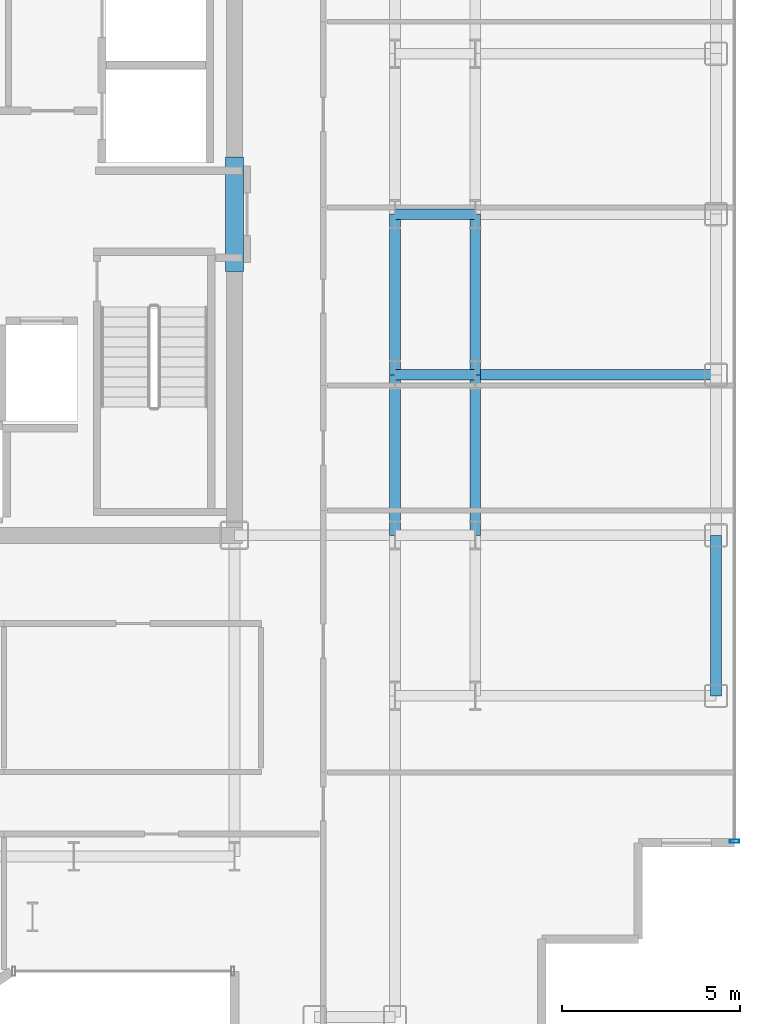
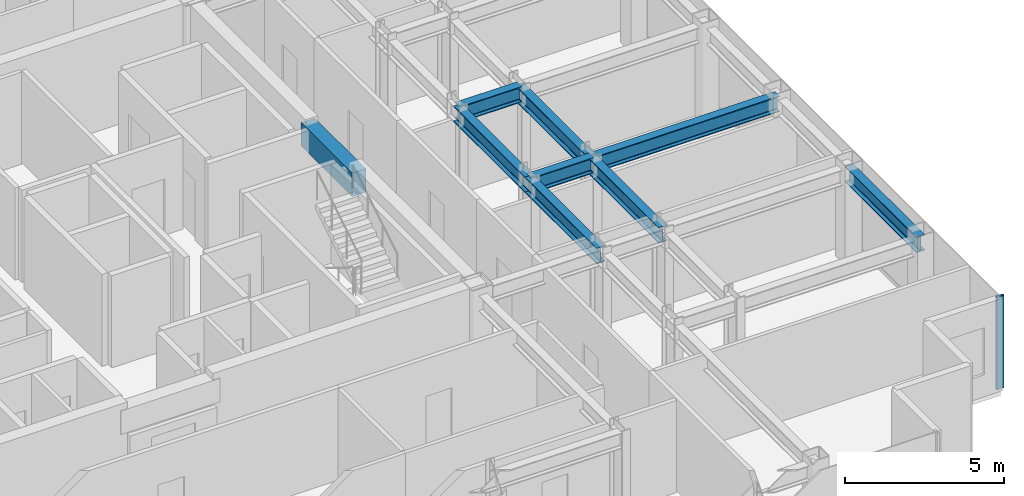
# One storey, part 6 of 20: 9 beams, 1 member, 1 element without a shape of its own.
"""IFC4 building model written with IfcOpenShell, lengths in metres."""

from ifc_helpers import new_model, si_unit, direction, frame, origin, origin_2d, place, context, subcontext, project, spatial, rectangle, hollow_rectangle, i_section, extrude, source, transform, mapped, material, layer, layer_set, material_profile, profile_set, type_object, element, aggregate, save


model = new_model("IFC4")

# Units and contexts
model_context = context("Model", 3, precision=1e-05, world=origin(), true_north=direction((0.0, 1.0)))
body_context = subcontext(model_context, "Body", "Model", "MODEL_VIEW")
ifc_project = project(units=[si_unit("LENGTHUNIT", "METRE"), si_unit("AREAUNIT", "SQUARE_METRE"), si_unit("VOLUMEUNIT", "CUBIC_METRE"), si_unit("PLANEANGLEUNIT", "RADIAN"), si_unit("MASSUNIT", "GRAM", prefix="KILO")], contexts=[model_context])

# Site, building, storey
site_placement = place(None, origin())
site = spatial("IfcSite", under=ifc_project, at=site_placement, CompositionType="ELEMENT")
building_placement = place(site_placement, origin())
building = spatial("IfcBuilding", under=site, at=building_placement, Name="Nefas-Gora Pilgrimage Tower", CompositionType="ELEMENT")
storey_placement = place(building_placement, frame((0.0, 0.0, 244.60009765625)))
storey = spatial("IfcBuildingStorey", under=building, at=storey_placement, Name="L61", CompositionType="ELEMENT", Elevation=244.60009765625)

# Beams
ifc_material_1 = material(Name="Concrete C50/60", Category="concrete")
ifc_material_profile_1 = material_profile(ifc_material_1, rectangle(XDim=0.5, YDim=0.89990234375, at=origin_2d()), Name="RC 500x900")
ifc_profile_set_1 = profile_set([ifc_material_profile_1], Name="Concrete C50/60")
beam_type_1 = type_object("IfcBeamType", Name="BM-LIN-RC900", PredefinedType="LINTEL", material=ifc_profile_set_1)
shared_shape_1 = source(origin(), body_context, "Body", "SweptSolid", [
    extrude(rectangle(XDim=0.5, YDim=0.89990234375, at=origin_2d()), origin(), (0.0, 0.0, 1.0), 3.2001953125),
])
beam_1_placement = place(storey_placement, frame((11.25, -1.60009765625, 3.099853515625), z_axis=(0.0, 1.0, 0.0), x_axis=(-1.0, 0.0, 0.0)))
element("IfcBeam", 1, at=beam_1_placement, inside=storey, type_object=beam_type_1, Name="L61 Core Coupling Lintel Beam E", PredefinedType="LINTEL", context=body_context, shape_type="MappedRepresentation", body=[
    mapped(shared_shape_1, transform((0.0, 0.0, 0.0), x_axis=(1.0, 0.0, 0.0), y_axis=(0.0, 1.0, 0.0), z_axis=(0.0, 0.0, 1.0), scale=1.0)),
])
ifc_material_2 = material(Name="Steel S355", Category="steel")
ifc_material_profile_2 = material_profile(ifc_material_2, i_section(OverallWidth=0.300048828125, OverallDepth=0.60009765625, WebThickness=0.015380859375, FlangeThickness=0.030029296875, FilletRadius=0.027099609375, at=origin_2d()), Name="HEB 600")
ifc_profile_set_2 = profile_set([ifc_material_profile_2], Name="Steel S355")
beam_type_2 = type_object("IfcBeamType", Name="BM-SPN-HEB450", PredefinedType="SPANDREL", material=ifc_profile_set_2)
shared_shape_2 = source(origin(), body_context, "Body", "SweptSolid", [
    extrude(i_section(OverallWidth=0.300048828125, OverallDepth=0.60009765625, WebThickness=0.015380859375, FlangeThickness=0.030029296875, FilletRadius=0.027099609375, at=origin_2d()), origin(), (0.0, 0.0, 1.0), 4.5),
])
beam_2_placement = place(storey_placement, frame((24.75, -13.5, 3.25), z_axis=(0.0, 1.0, 0.0), x_axis=(-1.0, 0.0, 0.0)))
element("IfcBeam", 2, at=beam_2_placement, inside=storey, type_object=beam_type_2, Name="L61 SP-03 beam", PredefinedType="SPANDREL", context=body_context, shape_type="MappedRepresentation", body=[
    mapped(shared_shape_2, transform((0.0, 0.0, 0.0), x_axis=(1.0, 0.0, 0.0), y_axis=(0.0, 1.0, 0.0), z_axis=(0.0, 0.0, 1.0), scale=1.0)),
])
ifc_material_profile_3 = material_profile(ifc_material_2, i_section(OverallWidth=0.300048828125, OverallDepth=0.60009765625, WebThickness=0.015380859375, FlangeThickness=0.030029296875, FilletRadius=0.027099609375, at=origin_2d()), Name="HEB 600")
ifc_profile_set_3 = profile_set([ifc_material_profile_3], Name="Steel S355")
beam_type_3 = type_object("IfcBeamType", Name="BM-GIR-HEB600", PredefinedType="BEAM", material=ifc_profile_set_3)
shared_shape_3 = source(origin(), body_context, "Body", "SweptSolid", [
    extrude(i_section(OverallWidth=0.300048828125, OverallDepth=0.60009765625, WebThickness=0.015380859375, FlangeThickness=0.030029296875, FilletRadius=0.027099609375, at=origin_2d()), origin(), (0.0, 0.0, 1.0), 4.5),
])
for number, where, z_axis, x_axis, name in (
    (3, (15.75, -9.0, 3.25), (0.0, 1.0, 0.0), (-1.0, 0.0, 0.0), "L61 G-04 beam"),
    (4, (15.75, -4.5, 3.25), (0.0, 1.0, 0.0), (-1.0, 0.0, 0.0), "L61 G-04 beam"),
    (5, (18.0, -9.0, 3.25), (0.0, 1.0, 0.0), (-1.0, 0.0, 0.0), "L61 G-04 beam"),
    (6, (18.0, -4.5, 3.25), (0.0, 1.0, 0.0), (-1.0, 0.0, 0.0), "L61 G-04 beam"),
):
    element("IfcBeam", number, at=place(storey_placement, frame(where, z_axis=z_axis, x_axis=x_axis)), inside=storey, type_object=beam_type_3, Name=name, PredefinedType="BEAM", context=body_context, shape_type="MappedRepresentation", body=[
        mapped(shared_shape_3, transform((0.0, 0.0, 0.0), x_axis=(1.0, 0.0, 0.0), y_axis=(0.0, 1.0, 0.0), z_axis=(0.0, 0.0, 1.0), scale=1.0)),
    ])
shared_shape_4 = source(origin(), body_context, "Body", "SweptSolid", [
    extrude(i_section(OverallWidth=0.300048828125, OverallDepth=0.60009765625, WebThickness=0.015380859375, FlangeThickness=0.030029296875, FilletRadius=0.027099609375, at=origin_2d()), origin(), (0.0, 0.0, 1.0), 6.75),
])
beam_3_placement = place(storey_placement, frame((18.0, -4.5, 3.25), z_axis=(1.0, 0.0, 0.0), x_axis=(0.0, 1.0, 0.0)))
element("IfcBeam", 7, at=beam_3_placement, inside=storey, type_object=beam_type_3, Name="L61 G-04 beam", PredefinedType="BEAM", context=body_context, shape_type="MappedRepresentation", body=[
    mapped(shared_shape_4, transform((0.0, 0.0, 0.0), x_axis=(1.0, 0.0, 0.0), y_axis=(0.0, 1.0, 0.0), z_axis=(0.0, 0.0, 1.0), scale=1.0)),
])
shared_shape_5 = source(origin(), body_context, "Body", "SweptSolid", [
    extrude(i_section(OverallWidth=0.300048828125, OverallDepth=0.60009765625, WebThickness=0.015380859375, FlangeThickness=0.030029296875, FilletRadius=0.027099609375, at=origin_2d()), origin(), (0.0, 0.0, 1.0), 2.25),
])
for number, where, z_axis, x_axis, name in (
    (8, (15.75, -4.5, 3.25), (1.0, 0.0, 0.0), (0.0, 1.0, 0.0), "L61 G-04 beam"),
    (9, (15.75, 0.0, 3.25), (1.0, 0.0, 0.0), (0.0, 1.0, 0.0), "L61 G-04 beam"),
):
    element("IfcBeam", number, at=place(storey_placement, frame(where, z_axis=z_axis, x_axis=x_axis)), inside=storey, type_object=beam_type_3, Name=name, PredefinedType="BEAM", context=body_context, shape_type="MappedRepresentation", body=[
        mapped(shared_shape_5, transform((0.0, 0.0, 0.0), x_axis=(1.0, 0.0, 0.0), y_axis=(0.0, 1.0, 0.0), z_axis=(0.0, 0.0, 1.0), scale=1.0)),
    ])

# Curtain wall, member
ifc_material_3 = material(Name="Dark ceramic-fritted solar-control aluminium-glass curtain wall", Category="aluminium")
ifc_layer = layer(ifc_material_3, 0.219970703125)
ifc_layer_set = layer_set([ifc_layer], Name="Dark ceramic-fritted solar-control aluminium-glass curtain wall")
curtain_wall_type = type_object("IfcCurtainWallType", Name="CW-SYS-3", PredefinedType="NOTDEFINED", material=ifc_layer_set)
curtain_wall_placement = place(storey_placement, origin())
curtain_wall = element("IfcCurtainWall", 10, at=curtain_wall_placement, inside=storey, type_object=curtain_wall_type, Name="L61 Unitised Curtain Wall CW3", PredefinedType="NOTDEFINED")
ifc_material_4 = material(Name="Anodised architectural aluminium", Category="aluminium")
ifc_material_profile_4 = material_profile(ifc_material_4, hollow_rectangle(XDim=0.090087890625, YDim=0.260009765625, WallThickness=0.006103515625, InnerFilletRadius=0.006103515625, OuterFilletRadius=0.011962890625, at=origin_2d()), Name="ALU MULLION 90x260")
ifc_profile_set_4 = profile_set([ifc_material_profile_4], Name="Anodised architectural aluminium")
member_type = type_object("IfcMemberType", Name="CWM-MUL-3", PredefinedType="MULLION", material=ifc_profile_set_4)
shared_shape_6 = source(origin(), body_context, "Body", "SweptSolid", [
    extrude(hollow_rectangle(XDim=0.090087890625, YDim=0.260009765625, WallThickness=0.006103515625, InnerFilletRadius=0.006103515625, OuterFilletRadius=0.011962890625, at=origin_2d()), origin(), (0.0, 0.0, 1.0), 3.5498046875),
])
member_placement = place(storey_placement, frame((25.27001953125, -17.574951171875, 0.0), z_axis=(0.0, 0.0, 1.0), x_axis=(0.0, 1.0, 0.0)))
member = element("IfcMember", 11, at=member_placement, type_object=member_type, Name="CW3 Mullion 1", PredefinedType="MULLION", context=body_context, shape_type="MappedRepresentation", body=[
    mapped(shared_shape_6, transform((0.0, 0.0, 0.0), x_axis=(1.0, 0.0, 0.0), y_axis=(0.0, 1.0, 0.0), z_axis=(0.0, 0.0, 1.0), scale=1.0)),
])
aggregate(curtain_wall, [member])

save(model, "model.ifc")
